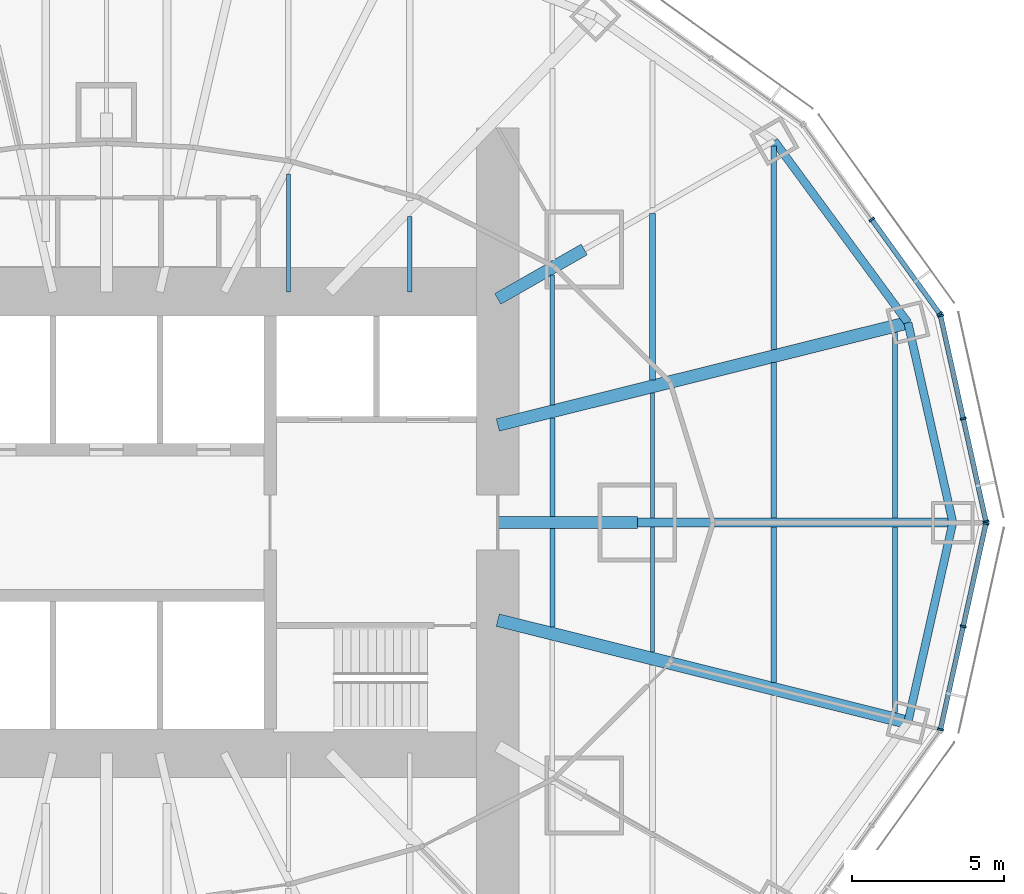
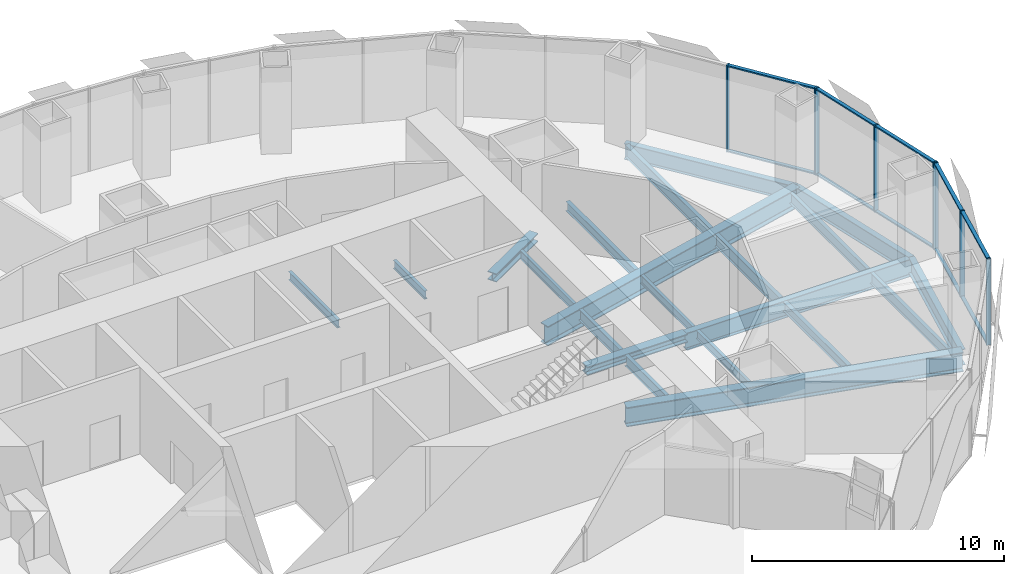
# One storey, part 6 of 18: 21 beams, 18 members, 3 elements without a shape of their own.
"""IFC4 building model written with IfcOpenShell, lengths in metres."""

from ifc_helpers import new_model, si_unit, direction, frame, origin, origin_2d, place, context, subcontext, project, spatial, rectangle, i_section, extrude, material, material_profile, profile_set, type_object, element, aggregate, save


model = new_model("IFC4")

# Units and contexts
model_context = context("Model", 3, precision=1e-05, world=origin(), true_north=direction((0.0, 1.0)))
body_context = subcontext(model_context, "Body", "Model", "MODEL_VIEW")
ifc_project = project(units=[si_unit("LENGTHUNIT", "METRE"), si_unit("AREAUNIT", "SQUARE_METRE"), si_unit("VOLUMEUNIT", "CUBIC_METRE"), si_unit("PLANEANGLEUNIT", "RADIAN"), si_unit("MASSUNIT", "GRAM", prefix="KILO")], contexts=[model_context])

# Site, building, storey
site_placement = place(None, origin())
site = spatial("IfcSite", under=ifc_project, at=site_placement, CompositionType="ELEMENT")
building_placement = place(site_placement, origin())
building = spatial("IfcBuilding", under=site, at=building_placement, Name="Lantaw Convention Tower", CompositionType="ELEMENT")
storey_placement = place(building_placement, frame((0.0, 0.0, 130.0)))
storey = spatial("IfcBuildingStorey", under=building, at=storey_placement, Name="L30", CompositionType="ELEMENT", Elevation=130.0)

# Beams
ifc_material_1 = material(Name="Steel ASTM A992", Category="steel")
ifc_material_profile_1 = material_profile(ifc_material_1, i_section(OverallWidth=0.2666015625, OverallDepth=0.76953125, WebThickness=0.015625, FlangeThickness=0.025390625, FilletRadius=0.0126953125, at=origin_2d()), Name="W30X132")
ifc_profile_set_1 = profile_set([ifc_material_profile_1], Name="Steel ASTM A992")
beam_type_1 = type_object("IfcBeamType", Name="Beam E W30X132", PredefinedType="SPANDREL", material=ifc_profile_set_1)
beam_1_placement = place(storey_placement, frame((27.89990234375, 0.0, -0.534912109375), z_axis=(-0.219211877447, 0.975677279015, 0.0), x_axis=(-0.975677279015, -0.219211877447, 0.0)))
element("IfcBeam", 1, at=beam_1_placement, inside=storey, type_object=beam_type_1, Name="Edge beam 1", PredefinedType="SPANDREL", context=body_context, shape_type="SweptSolid", body=[
    extrude(i_section(OverallWidth=0.2666015625, OverallDepth=0.76953125, WebThickness=0.015625, FlangeThickness=0.025390625, FilletRadius=0.0126953125, at=origin_2d()), origin(), (0.0, 0.0, 1.0), 6.75146484375),
])
beam_2_placement = place(storey_placement, frame((26.419921875, 6.587158203125, -0.534912109375), z_axis=(-0.5923891972, 0.805651934176, 0.0), x_axis=(-0.805651934176, -0.5923891972, 0.0)))
element("IfcBeam", 2, at=beam_2_placement, inside=storey, type_object=beam_type_1, Name="Edge beam 2", PredefinedType="SPANDREL", context=body_context, shape_type="SweptSolid", body=[
    extrude(i_section(OverallWidth=0.2666015625, OverallDepth=0.76953125, WebThickness=0.015625, FlangeThickness=0.025390625, FilletRadius=0.0126953125, at=origin_2d()), origin(), (0.0, 0.0, 1.0), 7.437744140625),
])
beam_3_placement = place(storey_placement, frame((26.419921875, -6.587158203125, -0.534912109375), z_axis=(0.219211877447, 0.975677279015, 0.0), x_axis=(-0.975677279015, 0.219211877447, 0.0)))
element("IfcBeam", 3, at=beam_3_placement, inside=storey, type_object=beam_type_1, Name="Edge beam 24", PredefinedType="SPANDREL", context=body_context, shape_type="SweptSolid", body=[
    extrude(i_section(OverallWidth=0.2666015625, OverallDepth=0.76953125, WebThickness=0.015625, FlangeThickness=0.025390625, FilletRadius=0.0126953125, at=origin_2d()), origin(), (0.0, 0.0, 1.0), 6.75146484375),
])
ifc_material_profile_2 = material_profile(ifc_material_1, i_section(OverallWidth=0.2919921875, OverallDepth=0.845703125, WebThickness=0.015380859375, FlangeThickness=0.0244140625, FilletRadius=0.01513671875, at=origin_2d()), Name="W33X141")
ifc_profile_set_2 = profile_set([ifc_material_profile_2], Name="Steel ASTM A992")
beam_type_2 = type_object("IfcBeamType", Name="Beam G W33X141", PredefinedType="BEAM", material=ifc_profile_set_2)
beam_4_placement = place(storey_placement, frame((17.5, 0.0, -0.572998046875), z_axis=(1.0, 0.0, 0.0), x_axis=(0.0, 1.0, 0.0)))
element("IfcBeam", 4, at=beam_4_placement, inside=storey, type_object=beam_type_2, Name="Floor girder on ray 1", PredefinedType="BEAM", context=body_context, shape_type="SweptSolid", body=[
    extrude(i_section(OverallWidth=0.2919921875, OverallDepth=0.845703125, WebThickness=0.015380859375, FlangeThickness=0.0244140625, FilletRadius=0.01513671875, at=origin_2d()), origin(), (0.0, 0.0, 1.0), 10.39990234375),
])
ifc_material_profile_3 = material_profile(ifc_material_1, i_section(OverallWidth=0.421630859375, OverallDepth=0.937255859375, WebThickness=0.0224609375, FlangeThickness=0.039794921875, FilletRadius=0.02001953125, at=origin_2d()), Name="W36X282")
ifc_profile_set_3 = profile_set([ifc_material_profile_3], Name="Steel ASTM A992")
beam_type_3 = type_object("IfcBeamType", Name="Beam G W36X282", PredefinedType="BEAM", material=ifc_profile_set_3)
for number, where, z_axis, x_axis, name in (
    (5, (12.89990234375, 3.21630859375, -0.61865234375), (0.970296903132, 0.24191717544, 0.0), (-0.24191717544, 0.970296903132, 0.0), "Floor girder on ray 2"),
    (6, (12.89990234375, -3.21630859375, -0.61865234375), (0.970296903132, -0.24191717544, 0.0), (0.24191717544, 0.970296903132, 0.0), "Floor girder on ray 24"),
):
    element("IfcBeam", number, at=place(storey_placement, frame(where, z_axis=z_axis, x_axis=x_axis)), inside=storey, type_object=beam_type_3, Name=name, PredefinedType="BEAM", context=body_context, shape_type="SweptSolid", body=[
        extrude(i_section(OverallWidth=0.421630859375, OverallDepth=0.937255859375, WebThickness=0.0224609375, FlangeThickness=0.039794921875, FilletRadius=0.02001953125, at=origin_2d()), origin(), (0.0, 0.0, 1.0), 13.933837890625),
    ])
ifc_material_profile_4 = material_profile(ifc_material_1, i_section(OverallWidth=0.40380859375, OverallDepth=0.406494140625, WebThickness=0.027099609375, FlangeThickness=0.043701171875, FilletRadius=0.01513671875, at=origin_2d()), Name="W14X233")
ifc_profile_set_4 = profile_set([ifc_material_profile_4], Name="Steel ASTM A992")
beam_type_4 = type_object("IfcBeamType", Name="Beam GM W14X233", PredefinedType="BEAM", material=ifc_profile_set_4)
beam_5_placement = place(storey_placement, frame((12.89990234375, 0.0, -0.353271484375), z_axis=(1.0, 0.0, 0.0), x_axis=(0.0, 1.0, 0.0)))
element("IfcBeam", 7, at=beam_5_placement, inside=storey, type_object=beam_type_4, Name="Core link beam on ray 1", PredefinedType="BEAM", context=body_context, shape_type="SweptSolid", body=[
    extrude(i_section(OverallWidth=0.40380859375, OverallDepth=0.406494140625, WebThickness=0.027099609375, FlangeThickness=0.043701171875, FilletRadius=0.01513671875, at=origin_2d()), origin(), (0.0, 0.0, 1.0), 4.60009765625),
])
beam_6_placement = place(storey_placement, frame((12.89990234375, 7.371337890625, -0.353271484375), z_axis=(0.868238565244, 0.496146947811, 0.0), x_axis=(-0.496146947811, 0.868238565244, 0.0)))
element("IfcBeam", 8, at=beam_6_placement, inside=storey, type_object=beam_type_4, Name="Core link beam on ray 3", PredefinedType="BEAM", context=body_context, shape_type="SweptSolid", body=[
    extrude(i_section(OverallWidth=0.40380859375, OverallDepth=0.406494140625, WebThickness=0.027099609375, FlangeThickness=0.043701171875, FilletRadius=0.01513671875, at=origin_2d()), origin(), (0.0, 0.0, 1.0), 3.28271484375),
])
ifc_material_profile_5 = material_profile(ifc_material_1, i_section(OverallWidth=0.140380859375, OverallDepth=0.40380859375, WebThickness=0.007080078125, FlangeThickness=0.01123046875, FilletRadius=0.01025390625, at=origin_2d()), Name="W16X31")
ifc_profile_set_5 = profile_set([ifc_material_profile_5], Name="Steel ASTM A992")
beam_type_5 = type_object("IfcBeamType", Name="Beam J W16X31", PredefinedType="JOIST", material=ifc_profile_set_5)
beam_7_placement = place(storey_placement, frame((6.0, 7.60009765625, -0.35205078125), z_axis=(0.0, 1.0, 0.0), x_axis=(-1.0, 0.0, 0.0)))
element("IfcBeam", 9, at=beam_7_placement, inside=storey, type_object=beam_type_5, Name="Floor joist", PredefinedType="JOIST", context=body_context, shape_type="SweptSolid", body=[
    extrude(i_section(OverallWidth=0.140380859375, OverallDepth=0.40380859375, WebThickness=0.007080078125, FlangeThickness=0.01123046875, FilletRadius=0.01025390625, at=origin_2d()), origin(), (0.0, 0.0, 1.0), 3.895751953125),
])
beam_8_placement = place(storey_placement, frame((10.0, 7.60009765625, -0.35205078125), z_axis=(0.0, 1.0, 0.0), x_axis=(-1.0, 0.0, 0.0)))
element("IfcBeam", 10, at=beam_8_placement, inside=storey, type_object=beam_type_5, Name="Floor joist", PredefinedType="JOIST", context=body_context, shape_type="SweptSolid", body=[
    extrude(i_section(OverallWidth=0.140380859375, OverallDepth=0.40380859375, WebThickness=0.007080078125, FlangeThickness=0.01123046875, FilletRadius=0.01025390625, at=origin_2d()), origin(), (0.0, 0.0, 1.0), 2.49560546875),
])
beam_9_placement = place(storey_placement, frame((14.699951171875, 3.88232421875, -0.35205078125), z_axis=(0.0, 1.0, 0.0), x_axis=(-1.0, 0.0, 0.0)))
element("IfcBeam", 11, at=beam_9_placement, inside=storey, type_object=beam_type_5, Name="Floor joist", PredefinedType="JOIST", context=body_context, shape_type="SweptSolid", body=[
    extrude(i_section(OverallWidth=0.140380859375, OverallDepth=0.40380859375, WebThickness=0.007080078125, FlangeThickness=0.01123046875, FilletRadius=0.01025390625, at=origin_2d()), origin(), (0.0, 0.0, 1.0), 4.28515625),
])
for number, where, z_axis, x_axis, name in (
    (12, (18.0, -4.270751953125, -0.35205078125), (0.0, 1.0, 0.0), (-1.0, 0.0, 0.0), "Floor joist"),
    (13, (18.0, 0.14599609375, -0.35205078125), (0.0, 1.0, 0.0), (-1.0, 0.0, 0.0), "Floor joist"),
):
    element("IfcBeam", number, at=place(storey_placement, frame(where, z_axis=z_axis, x_axis=x_axis)), inside=storey, type_object=beam_type_5, Name=name, PredefinedType="JOIST", context=body_context, shape_type="SweptSolid", body=[
        extrude(i_section(OverallWidth=0.140380859375, OverallDepth=0.40380859375, WebThickness=0.007080078125, FlangeThickness=0.01123046875, FilletRadius=0.01025390625, at=origin_2d()), origin(), (0.0, 0.0, 1.0), 4.124755859375),
    ])
ifc_material_profile_6 = material_profile(ifc_material_1, i_section(OverallWidth=0.1904296875, OverallDepth=0.457275390625, WebThickness=0.009033203125, FlangeThickness=0.014404296875, FilletRadius=0.01025390625, at=origin_2d()), Name="W18X50")
ifc_profile_set_6 = profile_set([ifc_material_profile_6], Name="Steel ASTM A992")
beam_type_6 = type_object("IfcBeamType", Name="Beam J W18X50", PredefinedType="JOIST", material=ifc_profile_set_6)
beam_10_placement = place(storey_placement, frame((18.0, 4.705078125, -0.378662109375), z_axis=(0.0, 1.0, 0.0), x_axis=(-1.0, 0.0, 0.0)))
element("IfcBeam", 14, at=beam_10_placement, inside=storey, type_object=beam_type_6, Name="Floor joist", PredefinedType="JOIST", context=body_context, shape_type="SweptSolid", body=[
    extrude(i_section(OverallWidth=0.1904296875, OverallDepth=0.457275390625, WebThickness=0.009033203125, FlangeThickness=0.014404296875, FilletRadius=0.01025390625, at=origin_2d()), origin(), (0.0, 0.0, 1.0), 5.47802734375),
])
beam_11_placement = place(storey_placement, frame((22.0, -5.267822265625, -0.378662109375), z_axis=(0.0, 1.0, 0.0), x_axis=(-1.0, 0.0, 0.0)))
element("IfcBeam", 15, at=beam_11_placement, inside=storey, type_object=beam_type_6, Name="Floor joist", PredefinedType="JOIST", context=body_context, shape_type="SweptSolid", body=[
    extrude(i_section(OverallWidth=0.1904296875, OverallDepth=0.457275390625, WebThickness=0.009033203125, FlangeThickness=0.014404296875, FilletRadius=0.01025390625, at=origin_2d()), origin(), (0.0, 0.0, 1.0), 5.121826171875),
])
ifc_material_profile_7 = material_profile(ifc_material_1, i_section(OverallWidth=0.1650390625, OverallDepth=0.52587890625, WebThickness=0.0087890625, FlangeThickness=0.011474609375, FilletRadius=0.0126953125, at=origin_2d()), Name="W21X44")
ifc_profile_set_7 = profile_set([ifc_material_profile_7], Name="Steel ASTM A992")
beam_type_7 = type_object("IfcBeamType", Name="Beam J W21X44", PredefinedType="JOIST", material=ifc_profile_set_7)
for number, where, z_axis, x_axis, name in (
    (16, (26.0, -6.26513671875, -0.412841796875), (0.0, 1.0, 0.0), (-1.0, 0.0, 0.0), "Floor joist"),
    (17, (26.0, 0.14599609375, -0.412841796875), (0.0, 1.0, 0.0), (-1.0, 0.0, 0.0), "Floor joist"),
):
    element("IfcBeam", number, at=place(storey_placement, frame(where, z_axis=z_axis, x_axis=x_axis)), inside=storey, type_object=beam_type_7, Name=name, PredefinedType="JOIST", context=body_context, shape_type="SweptSolid", body=[
        extrude(i_section(OverallWidth=0.1650390625, OverallDepth=0.52587890625, WebThickness=0.0087890625, FlangeThickness=0.011474609375, FilletRadius=0.0126953125, at=origin_2d()), origin(), (0.0, 0.0, 1.0), 6.119140625),
    ])
ifc_material_profile_8 = material_profile(ifc_material_1, i_section(OverallWidth=0.165771484375, OverallDepth=0.5283203125, WebThickness=0.009765625, FlangeThickness=0.013671875, FilletRadius=0.012939453125, at=origin_2d()), Name="W21X50")
ifc_profile_set_8 = profile_set([ifc_material_profile_8], Name="Steel ASTM A992")
beam_type_8 = type_object("IfcBeamType", Name="Beam J W21X50", PredefinedType="JOIST", material=ifc_profile_set_8)
for number, where, z_axis, x_axis, name in (
    (18, (14.699951171875, -3.44775390625, -0.4140625), (0.0, 1.0, 0.0), (-1.0, 0.0, 0.0), "Floor joist"),
    (19, (14.699951171875, 0.201904296875, -0.4140625), (0.0, 1.0, 0.0), (-1.0, 0.0, 0.0), "Floor joist"),
):
    element("IfcBeam", number, at=place(storey_placement, frame(where, z_axis=z_axis, x_axis=x_axis)), inside=storey, type_object=beam_type_8, Name=name, PredefinedType="JOIST", context=body_context, shape_type="SweptSolid", body=[
        extrude(i_section(OverallWidth=0.165771484375, OverallDepth=0.5283203125, WebThickness=0.009765625, FlangeThickness=0.013671875, FilletRadius=0.012939453125, at=origin_2d()), origin(), (0.0, 0.0, 1.0), 3.245849609375),
    ])
ifc_material_profile_9 = material_profile(ifc_material_1, i_section(OverallWidth=0.177978515625, OverallDepth=0.599365234375, WebThickness=0.010009765625, FlangeThickness=0.012939453125, FilletRadius=0.012939453125, at=origin_2d()), Name="W24X55")
ifc_profile_set_9 = profile_set([ifc_material_profile_9], Name="Steel ASTM A992")
beam_type_9 = type_object("IfcBeamType", Name="Beam J W24X55", PredefinedType="JOIST", material=ifc_profile_set_9)
beam_12_placement = place(storey_placement, frame((22.0, 0.14599609375, -0.44970703125), z_axis=(0.0, 1.0, 0.0), x_axis=(-1.0, 0.0, 0.0)))
element("IfcBeam", 20, at=beam_12_placement, inside=storey, type_object=beam_type_9, Name="Floor joist", PredefinedType="JOIST", context=body_context, shape_type="SweptSolid", body=[
    extrude(i_section(OverallWidth=0.177978515625, OverallDepth=0.599365234375, WebThickness=0.010009765625, FlangeThickness=0.012939453125, FilletRadius=0.012939453125, at=origin_2d()), origin(), (0.0, 0.0, 1.0), 5.121826171875),
])
beam_13_placement = place(storey_placement, frame((22.0, 5.702392578125, -0.44970703125), z_axis=(0.0, 1.0, 0.0), x_axis=(-1.0, 0.0, 0.0)))
element("IfcBeam", 21, at=beam_13_placement, inside=storey, type_object=beam_type_9, Name="Floor joist", PredefinedType="JOIST", context=body_context, shape_type="SweptSolid", body=[
    extrude(i_section(OverallWidth=0.177978515625, OverallDepth=0.599365234375, WebThickness=0.010009765625, FlangeThickness=0.012939453125, FilletRadius=0.012939453125, at=origin_2d()), origin(), (0.0, 0.0, 1.0), 6.70654296875),
])

# Curtain wall, members
ifc_material_2 = material(Name="Aluminium framed curtain wall", Category="aluminium")
curtain_wall_type = type_object("IfcCurtainWallType", Name="Office curtain wall low rise, pale aluminium", PredefinedType="USERDEFINED", material=ifc_material_2)
curtain_wall_1_placement = place(storey_placement, origin())
curtain_wall_1 = element("IfcCurtainWall", 22, at=curtain_wall_1_placement, inside=storey, type_object=curtain_wall_type, Name="Office curtain wall low rise, pale aluminium L30", ObjectType="UNITISED CURTAIN WALL", PredefinedType="USERDEFINED")
ifc_material_3 = material(Name="Aluminium 6063-T6", Category="aluminium")
ifc_material_profile_10 = material_profile(ifc_material_3, rectangle(XDim=0.199951171875, YDim=0.06494140625, at=origin_2d()), Name="CW-O1 mullion 65x200")
ifc_profile_set_10 = profile_set([ifc_material_profile_10], Name="Aluminium 6063-T6")
member_type_1 = type_object("IfcMemberType", Name="CW-O1 mullion 65x200", PredefinedType="MULLION", material=ifc_profile_set_10)
member_1_placement = place(storey_placement, frame((28.992919921875, 0.03173828125, -0.14990234375), z_axis=(0.0, 0.0, 1.0), x_axis=(-0.9764936509, -0.215546166174, 0.0)))
member_1 = element("IfcMember", 23, at=member_1_placement, type_object=member_type_1, Name="CW-O1 mullion 1", PredefinedType="MULLION", context=body_context, shape_type="SweptSolid", body=[
    extrude(rectangle(XDim=0.199951171875, YDim=0.06494140625, at=origin_2d()), origin(), (0.0, 0.0, 1.0), 4.199951171875),
])
member_2_placement = place(storey_placement, frame((28.24365234375, 3.4267578125, -0.14990234375), z_axis=(0.0, 0.0, 1.0), x_axis=(-0.9764936509, -0.215546166174, 0.0)))
member_2 = element("IfcMember", 24, at=member_2_placement, type_object=member_type_1, Name="CW-O1 mullion 2", PredefinedType="MULLION", context=body_context, shape_type="SweptSolid", body=[
    extrude(rectangle(XDim=0.199951171875, YDim=0.06494140625, at=origin_2d()), origin(), (0.0, 0.0, 1.0), 4.199951171875),
])
member_3_placement = place(storey_placement, frame((27.494140625, 6.821533203125, -0.14990234375), z_axis=(0.0, 0.0, 1.0), x_axis=(-0.9764936509, -0.215546166174, 0.0)))
member_3 = element("IfcMember", 25, at=member_3_placement, type_object=member_type_1, Name="CW-O1 mullion 3", PredefinedType="MULLION", context=body_context, shape_type="SweptSolid", body=[
    extrude(rectangle(XDim=0.199951171875, YDim=0.06494140625, at=origin_2d()), origin(), (0.0, 0.0, 1.0), 4.199951171875),
])

curtain_wall_2_placement = place(storey_placement, origin())
curtain_wall_2 = element("IfcCurtainWall", 26, at=curtain_wall_2_placement, inside=storey, type_object=curtain_wall_type, Name="Office curtain wall low rise, pale aluminium L30", ObjectType="UNITISED CURTAIN WALL", PredefinedType="USERDEFINED")
member_4_placement = place(storey_placement, frame((27.46826171875, 6.879638671875, -0.14990234375), z_axis=(0.0, 0.0, 1.0), x_axis=(-0.811384633629, -0.584512597221, 0.0)))
member_4 = element("IfcMember", 27, at=member_4_placement, type_object=member_type_1, Name="CW-O1 mullion 1", PredefinedType="MULLION", context=body_context, shape_type="SweptSolid", body=[
    extrude(rectangle(XDim=0.199951171875, YDim=0.06494140625, at=origin_2d()), origin(), (0.0, 0.0, 1.0), 4.199951171875),
])
member_5_placement = place(storey_placement, frame((25.22802734375, 9.9892578125, -0.14990234375), z_axis=(0.0, 0.0, 1.0), x_axis=(-0.811384633629, -0.584512597221, 0.0)))
member_5 = element("IfcMember", 28, at=member_5_placement, type_object=member_type_1, Name="CW-O1 mullion 2", PredefinedType="MULLION", context=body_context, shape_type="SweptSolid", body=[
    extrude(rectangle(XDim=0.199951171875, YDim=0.06494140625, at=origin_2d()), origin(), (0.0, 0.0, 1.0), 4.199951171875),
])

curtain_wall_3_placement = place(storey_placement, origin())
curtain_wall_3 = element("IfcCurtainWall", 29, at=curtain_wall_3_placement, inside=storey, type_object=curtain_wall_type, Name="Office curtain wall low rise, pale aluminium L30", ObjectType="UNITISED CURTAIN WALL", PredefinedType="USERDEFINED")
member_6_placement = place(storey_placement, frame((27.494140625, -6.821533203125, -0.14990234375), z_axis=(0.0, 0.0, 1.0), x_axis=(-0.9764936509, 0.215546166174, 0.0)))
member_6 = element("IfcMember", 30, at=member_6_placement, type_object=member_type_1, Name="CW-O1 mullion 1", PredefinedType="MULLION", context=body_context, shape_type="SweptSolid", body=[
    extrude(rectangle(XDim=0.199951171875, YDim=0.06494140625, at=origin_2d()), origin(), (0.0, 0.0, 1.0), 4.199951171875),
])
member_7_placement = place(storey_placement, frame((28.24365234375, -3.4267578125, -0.14990234375), z_axis=(0.0, 0.0, 1.0), x_axis=(-0.9764936509, 0.215546166174, 0.0)))
member_7 = element("IfcMember", 31, at=member_7_placement, type_object=member_type_1, Name="CW-O1 mullion 2", PredefinedType="MULLION", context=body_context, shape_type="SweptSolid", body=[
    extrude(rectangle(XDim=0.199951171875, YDim=0.06494140625, at=origin_2d()), origin(), (0.0, 0.0, 1.0), 4.199951171875),
])
member_8_placement = place(storey_placement, frame((28.992919921875, -0.03173828125, -0.14990234375), z_axis=(0.0, 0.0, 1.0), x_axis=(-0.9764936509, 0.215546166174, 0.0)))
member_8 = element("IfcMember", 32, at=member_8_placement, type_object=member_type_1, Name="CW-O1 mullion 3", PredefinedType="MULLION", context=body_context, shape_type="SweptSolid", body=[
    extrude(rectangle(XDim=0.199951171875, YDim=0.06494140625, at=origin_2d()), origin(), (0.0, 0.0, 1.0), 4.199951171875),
])

# Member
ifc_material_profile_11 = material_profile(ifc_material_3, rectangle(XDim=0.159912109375, YDim=0.06494140625, at=origin_2d()), Name="CW-O1 transom 65x160")
ifc_profile_set_11 = profile_set([ifc_material_profile_11], Name="Aluminium 6063-T6")
member_type_2 = type_object("IfcMemberType", Name="CW-O1 transom 65x160", PredefinedType="USERDEFINED", material=ifc_profile_set_11)
member_9_placement = place(storey_placement, frame((28.986083984375, 0.0634765625, -0.117431640625), z_axis=(-0.215536096386, 0.976495873598, 0.0), x_axis=(-0.976495873598, -0.215536096386, 0.0)))
member_9 = element("IfcMember", 33, at=member_9_placement, type_object=member_type_2, Name="CW-O1 transom 1.1", ObjectType="TRANSOM", PredefinedType="USERDEFINED", context=body_context, shape_type="SweptSolid", body=[
    extrude(rectangle(XDim=0.159912109375, YDim=0.06494140625, at=origin_2d()), origin(), (0.0, 0.0, 1.0), 3.41162109375),
])

member_10_placement = place(storey_placement, frame((28.986083984375, 0.0634765625, 4.017578125), z_axis=(-0.215536096386, 0.976495873598, 0.0), x_axis=(-0.976495873598, -0.215536096386, 0.0)))
member_10 = element("IfcMember", 34, at=member_10_placement, type_object=member_type_2, Name="CW-O1 transom 1.2", ObjectType="TRANSOM", PredefinedType="USERDEFINED", context=body_context, shape_type="SweptSolid", body=[
    extrude(rectangle(XDim=0.159912109375, YDim=0.06494140625, at=origin_2d()), origin(), (0.0, 0.0, 1.0), 3.41162109375),
])

member_11_placement = place(storey_placement, frame((28.236572265625, 3.45849609375, -0.117431640625), z_axis=(-0.21555115847, 0.976492548913, 0.0), x_axis=(-0.976492548913, -0.21555115847, 0.0)))
member_11 = element("IfcMember", 35, at=member_11_placement, type_object=member_type_2, Name="CW-O1 transom 2.1", ObjectType="TRANSOM", PredefinedType="USERDEFINED", context=body_context, shape_type="SweptSolid", body=[
    extrude(rectangle(XDim=0.159912109375, YDim=0.06494140625, at=origin_2d()), origin(), (0.0, 0.0, 1.0), 3.411376953125),
])

member_12_placement = place(storey_placement, frame((28.236572265625, 3.45849609375, 4.017578125), z_axis=(-0.21555115847, 0.976492548913, 0.0), x_axis=(-0.976492548913, -0.21555115847, 0.0)))
member_12 = element("IfcMember", 36, at=member_12_placement, type_object=member_type_2, Name="CW-O1 transom 2.2", ObjectType="TRANSOM", PredefinedType="USERDEFINED", context=body_context, shape_type="SweptSolid", body=[
    extrude(rectangle(XDim=0.159912109375, YDim=0.06494140625, at=origin_2d()), origin(), (0.0, 0.0, 1.0), 3.411376953125),
])

aggregate(curtain_wall_1, [member_1, member_2, member_3, member_9, member_10, member_11, member_12])

member_13_placement = place(storey_placement, frame((27.44921875, 6.906005859375, -0.117431640625), z_axis=(-0.584512973979, 0.811384362217, 0.0), x_axis=(-0.811384362217, -0.584512973979, 0.0)))
member_13 = element("IfcMember", 37, at=member_13_placement, type_object=member_type_2, Name="CW-O1 transom 1.1", ObjectType="TRANSOM", PredefinedType="USERDEFINED", context=body_context, shape_type="SweptSolid", body=[
    extrude(rectangle(XDim=0.159912109375, YDim=0.06494140625, at=origin_2d()), origin(), (0.0, 0.0, 1.0), 3.767578125),
])

member_14_placement = place(storey_placement, frame((27.44921875, 6.906005859375, 4.017578125), z_axis=(-0.584512973979, 0.811384362217, 0.0), x_axis=(-0.811384362217, -0.584512973979, 0.0)))
member_14 = element("IfcMember", 38, at=member_14_placement, type_object=member_type_2, Name="CW-O1 transom 1.2", ObjectType="TRANSOM", PredefinedType="USERDEFINED", context=body_context, shape_type="SweptSolid", body=[
    extrude(rectangle(XDim=0.159912109375, YDim=0.06494140625, at=origin_2d()), origin(), (0.0, 0.0, 1.0), 3.767578125),
])

aggregate(curtain_wall_2, [member_4, member_5, member_13, member_14])

member_15_placement = place(storey_placement, frame((27.501220703125, -6.789794921875, -0.117431640625), z_axis=(0.21555115847, 0.976492548913, 0.0), x_axis=(-0.976492548913, 0.21555115847, 0.0)))
member_15 = element("IfcMember", 39, at=member_15_placement, type_object=member_type_2, Name="CW-O1 transom 1.1", ObjectType="TRANSOM", PredefinedType="USERDEFINED", context=body_context, shape_type="SweptSolid", body=[
    extrude(rectangle(XDim=0.159912109375, YDim=0.06494140625, at=origin_2d()), origin(), (0.0, 0.0, 1.0), 3.411376953125),
])

member_16_placement = place(storey_placement, frame((27.501220703125, -6.789794921875, 4.017578125), z_axis=(0.21555115847, 0.976492548913, 0.0), x_axis=(-0.976492548913, 0.21555115847, 0.0)))
member_16 = element("IfcMember", 40, at=member_16_placement, type_object=member_type_2, Name="CW-O1 transom 1.2", ObjectType="TRANSOM", PredefinedType="USERDEFINED", context=body_context, shape_type="SweptSolid", body=[
    extrude(rectangle(XDim=0.159912109375, YDim=0.06494140625, at=origin_2d()), origin(), (0.0, 0.0, 1.0), 3.411376953125),
])

member_17_placement = place(storey_placement, frame((28.250732421875, -3.39501953125, -0.117431640625), z_axis=(0.215536096386, 0.976495873598, 0.0), x_axis=(-0.976495873598, 0.215536096386, 0.0)))
member_17 = element("IfcMember", 41, at=member_17_placement, type_object=member_type_2, Name="CW-O1 transom 2.1", ObjectType="TRANSOM", PredefinedType="USERDEFINED", context=body_context, shape_type="SweptSolid", body=[
    extrude(rectangle(XDim=0.159912109375, YDim=0.06494140625, at=origin_2d()), origin(), (0.0, 0.0, 1.0), 3.41162109375),
])

member_18_placement = place(storey_placement, frame((28.250732421875, -3.39501953125, 4.017578125), z_axis=(0.215536096386, 0.976495873598, 0.0), x_axis=(-0.976495873598, 0.215536096386, 0.0)))
member_18 = element("IfcMember", 42, at=member_18_placement, type_object=member_type_2, Name="CW-O1 transom 2.2", ObjectType="TRANSOM", PredefinedType="USERDEFINED", context=body_context, shape_type="SweptSolid", body=[
    extrude(rectangle(XDim=0.159912109375, YDim=0.06494140625, at=origin_2d()), origin(), (0.0, 0.0, 1.0), 3.41162109375),
])

aggregate(curtain_wall_3, [member_6, member_7, member_8, member_15, member_16, member_17, member_18])

save(model, "model.ifc")
